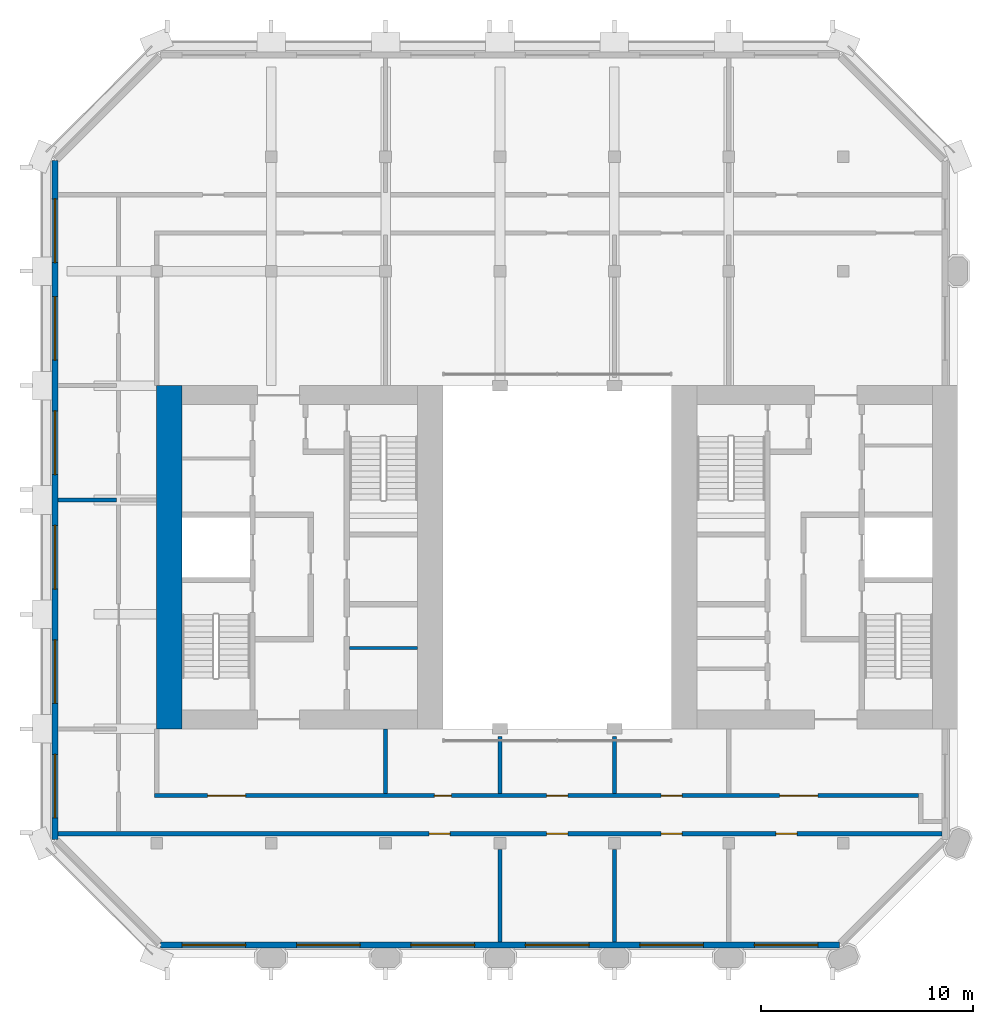
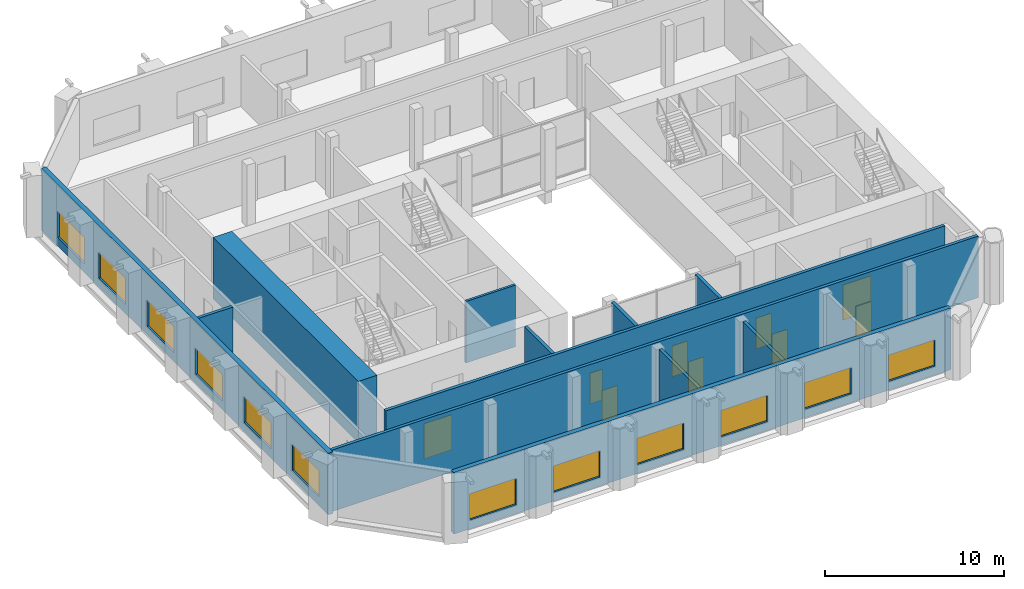
# One storey, part 6 of 12: 12 walls, 12 windows, 9 doors, 21 openings.
"""IFC4 building model written with IfcOpenShell, lengths in metres."""

import ifcopenshell
import ifcopenshell.guid

model = None  # the IFC model being written
_history = None  # IfcOwnerHistory: only IFC2X3 demands one
_inside = {}  # id of a spatial element -> (the spatial element, [elements in it])
_under = {}  # id of a project, library or spatial element -> (it, [spatial elements below it])
_declared = {}  # id of a project -> (the project, [libraries it declares])
_typed = {}  # id of a type object -> (the type object, [elements of that type])
_made_of = {}  # id of a material, layer set ... -> (it, [elements and type objects made of it])


def new_model(schema):
    """Start an empty IFC model of exactly this schema.

    Asked for "IFC4X3", IfcOpenShell would pick the latest addendum, in which some entities
    have other attributes; the version numbers below select the first issue.
    IFC2X3 requires an IfcOwnerHistory on every rooted entity: one is made here for all.
    """
    global model, _history
    if schema == "IFC4X3":
        model = ifcopenshell.file(schema_version=(4, 3, 0, 0))
    else:
        model = ifcopenshell.file(schema=schema)
    _inside.clear()
    _under.clear()
    _declared.clear()
    _typed.clear()
    _made_of.clear()
    _history = None
    if model.schema == "IFC2X3":
        org = make("IfcOrganization", Name="unknown")
        user = make(
            "IfcPersonAndOrganization",
            ThePerson=make("IfcPerson", FamilyName="unknown"),
            TheOrganization=org,
        )
        app = make(
            "IfcApplication",
            ApplicationDeveloper=org,
            Version="unknown",
            ApplicationFullName="unknown",
            ApplicationIdentifier="unknown",
        )
        _history = make(
            "IfcOwnerHistory",
            OwningUser=user,
            OwningApplication=app,
            ChangeAction="ADDED",
            CreationDate=0,
        )
    return model


def make(cls, **values):
    """One entity of the class cls with the attributes given. An attribute that is None is left unset."""
    return model.create_entity(
        cls, **{name: value for name, value in values.items() if value is not None}
    )


def rooted(cls, **values):
    """An entity with a GlobalId (a new one), such as an element, a storey or a relation."""
    return make(cls, GlobalId=ifcopenshell.guid.new(), OwnerHistory=_history, **values)


def si_unit(unit_type, name, prefix=None):
    """IfcSIUnit, for example si_unit("LENGTHUNIT", "METRE", prefix="MILLI")."""
    return make("IfcSIUnit", UnitType=unit_type, Prefix=prefix, Name=name)


def assignment(units):
    """IfcUnitAssignment: the units of a project."""
    return None if units is None else make("IfcUnitAssignment", Units=units)


def point(xyz):
    """IfcCartesianPoint."""
    return None if xyz is None else make("IfcCartesianPoint", Coordinates=xyz)


def direction(xyz):
    """IfcDirection."""
    return None if xyz is None else make("IfcDirection", DirectionRatios=xyz)


def frame(location, z_axis=None, x_axis=None):
    """IfcAxis2Placement3D, a coordinate frame: its origin and axes. An axis left out is left unset."""
    return make(
        "IfcAxis2Placement3D",
        Location=point(location),
        Axis=direction(z_axis),
        RefDirection=direction(x_axis),
    )


def frame_2d(location, x_axis=None):
    """IfcAxis2Placement2D, a coordinate frame in the plane: its origin and x axis."""
    return make(
        "IfcAxis2Placement2D", Location=point(location), RefDirection=direction(x_axis)
    )


def origin():
    """The frame at (0, 0, 0) with its axes left unset."""
    return frame((0.0, 0.0, 0.0))


def place(relative_to, where):
    """IfcLocalPlacement: puts the frame where relative to a parent placement (None: the world)."""
    return make(
        "IfcLocalPlacement", PlacementRelTo=relative_to, RelativePlacement=where
    )


def context(
    kind, dimensions, precision=None, world=None, true_north=None, identifier=None
):
    """IfcGeometricRepresentationContext, for example the 3D "Model" context."""
    return make(
        "IfcGeometricRepresentationContext",
        ContextIdentifier=identifier,
        ContextType=kind,
        CoordinateSpaceDimension=dimensions,
        Precision=precision,
        WorldCoordinateSystem=world,
        TrueNorth=true_north,
    )


def subcontext(parent, identifier, kind, view, scale=None):
    """IfcGeometricRepresentationSubContext, for example "Body" below "Model"."""
    return make(
        "IfcGeometricRepresentationSubContext",
        ContextIdentifier=identifier,
        ContextType=kind,
        ParentContext=parent,
        TargetScale=scale,
        TargetView=view,
    )


def project(units=None, contexts=None):
    """IfcProject with its units and contexts."""
    return rooted(
        "IfcProject",
        Name="project",
        RepresentationContexts=contexts,
        UnitsInContext=assignment(units),
    )


def spatial(cls, under=None, at=None, **own):
    """A site, building, storey or space (cls), placed at a placement, below another one or the project."""
    s = rooted(cls, ObjectPlacement=at, **own)
    if under is not None:
        _under.setdefault(under.id(), (under, []))[1].append(s)
    return s


def polyline(points):
    """IfcPolyline through the points."""
    return make("IfcPolyline", Points=[point(p) for p in points])


def profile(cls, at=None, kind="AREA", **sizes):
    """A parametric profile (cls). Its sizes go by their IFC names, for example OverallWidth=200.0."""
    return make(cls, ProfileType=kind, Position=at, **sizes)


def rectangle(**sizes):
    """IfcRectangleProfileDef."""
    return profile("IfcRectangleProfileDef", **sizes)


def outline(outer, holes=None, kind="AREA"):
    """IfcArbitraryClosedProfileDef: a profile drawn as a closed curve; with holes, ...WithVoids."""
    if holes is None:
        return make("IfcArbitraryClosedProfileDef", ProfileType=kind, OuterCurve=outer)
    return make(
        "IfcArbitraryProfileDefWithVoids",
        ProfileType=kind,
        OuterCurve=outer,
        InnerCurves=holes,
    )


def extrude(swept, where, along, depth):
    """IfcExtrudedAreaSolid: the profile swept, set in the frame where, extruded along a direction by depth."""
    return make(
        "IfcExtrudedAreaSolid",
        SweptArea=swept,
        Position=where,
        ExtrudedDirection=direction(along),
        Depth=depth,
    )


def shape(context_of_items, identifier, shape_type, items):
    """IfcShapeRepresentation: the items that make up one representation, for example the "Body"."""
    return make(
        "IfcShapeRepresentation",
        ContextOfItems=context_of_items,
        RepresentationIdentifier=identifier,
        RepresentationType=shape_type,
        Items=items,
    )


def material(Name=None, Category=None):
    """IfcMaterial."""
    return make("IfcMaterial", Name=Name, Category=Category)


def layer(
    of_material, thickness, ventilated=None, Name=None, Category=None, Priority=None
):
    """IfcMaterialLayer: one layer of a wall or slab, of a material (None: an air gap)."""
    return make(
        "IfcMaterialLayer",
        Material=of_material,
        LayerThickness=thickness,
        IsVentilated=ventilated,
        Name=Name,
        Category=Category,
        Priority=Priority,
    )


def layer_set(layers, Name=None):
    """IfcMaterialLayerSet."""
    return make("IfcMaterialLayerSet", MaterialLayers=layers, LayerSetName=Name)


def made_of(thing, what):
    """Note that an element or type object is made of a material, layer set ...; save() writes the relation."""
    if what is not None:
        _made_of.setdefault(what.id(), (what, []))[1].append(thing)
    return thing


def type_object(cls, material=None, **own):
    """A type object (cls), such as IfcWallType, which elements share."""
    return made_of(rooted(cls, **own), material)


def element(
    cls,
    number,
    at=None,
    inside=None,
    cuts=None,
    type_object=None,
    material=None,
    context=None,
    identifier="Body",
    shape_type=None,
    held_by="IfcProductDefinitionShape",
    body=None,
    shapes=None,
    **own,
):
    """One element of the class cls, such as IfcWall. Its Tag is "e" and its number.

    at: its placement. inside: the storey or other place that contains it. cuts: it is an
    opening in that element (IfcRelVoidsElement). A single representation is given by context,
    identifier, shape_type and body (its items); several are given by shapes. held_by: the class
    of the entity that holds the representations. save() writes the other relations.
    """
    e = rooted(cls, Tag="e%d" % number, ObjectPlacement=at, **own)
    if body is not None:
        shapes = [shape(context, identifier, shape_type, body)]
    if shapes is not None:
        e.Representation = make(held_by, Representations=shapes)
    if inside is not None:
        _inside.setdefault(inside.id(), (inside, []))[1].append(e)
    if cuts is not None:
        rooted(
            "IfcRelVoidsElement", RelatingBuildingElement=cuts, RelatedOpeningElement=e
        )
    if type_object is not None:
        _typed.setdefault(type_object.id(), (type_object, []))[1].append(e)
    return made_of(e, material)


def fill(opening, filler):
    """IfcRelFillsElement: the door or window that sits in an opening."""
    return rooted(
        "IfcRelFillsElement",
        RelatingOpeningElement=opening,
        RelatedBuildingElement=filler,
    )


def aggregate(whole, parts):
    """IfcRelAggregates: a whole, such as a stair, and the parts it consists of."""
    return rooted("IfcRelAggregates", RelatingObject=whole, RelatedObjects=parts)


def save(model, path):
    """Write the relations noted so far, then the file.

    IfcRelAggregates (storeys below a building ...), IfcRelContainedInSpatialStructure (elements
    in a storey), IfcRelDefinesByType, IfcRelAssociatesMaterial and IfcRelDeclares: one each for
    every whole, place, type object, material and project.
    """
    for whole, parts in _under.values():
        aggregate(whole, parts)
    for where, things in _inside.values():
        rooted(
            "IfcRelContainedInSpatialStructure",
            RelatedElements=things,
            RelatingStructure=where,
        )
    for kind, things in _typed.values():
        rooted("IfcRelDefinesByType", RelatedObjects=things, RelatingType=kind)
    for what, things in _made_of.values():
        rooted("IfcRelAssociatesMaterial", RelatedObjects=things, RelatingMaterial=what)
    for by, libraries in _declared.values():
        rooted("IfcRelDeclares", RelatingContext=by, RelatedDefinitions=libraries)
    model.write(path)


model = new_model("IFC4")

# Units and contexts
model_context = context("Model", 3, precision=1e-05, world=origin(), true_north=direction((0.0, 1.0)))
body_context = subcontext(model_context, "Body", "Model", "MODEL_VIEW")
ifc_project = project(units=[si_unit("LENGTHUNIT", "METRE"), si_unit("AREAUNIT", "SQUARE_METRE"), si_unit("VOLUMEUNIT", "CUBIC_METRE"), si_unit("PLANEANGLEUNIT", "RADIAN"), si_unit("MASSUNIT", "GRAM", prefix="KILO")], contexts=[model_context])

# Site, building, storey
site_placement = place(None, origin())
site = spatial("IfcSite", under=ifc_project, at=site_placement, CompositionType="ELEMENT")
building_placement = place(site_placement, origin())
building = spatial("IfcBuilding", under=site, at=building_placement, Name="Tabaq Tower and Sports Hall", CompositionType="ELEMENT")
storey_placement = place(building_placement, frame((0.0, 0.0, 317.199951171875)))
storey = spatial("IfcBuildingStorey", under=building, at=storey_placement, Name="L79", CompositionType="ELEMENT", Elevation=317.199951171875)

# Walls
ifc_material_1 = material(Name="Blockwork", Category="masonry")
ifc_layer_1 = layer(ifc_material_1, 0.14990234375)
ifc_layer_set_1 = layer_set([ifc_layer_1], Name="Core room partition 150 Blockwork")
wall_type_1 = type_object("IfcWallType", Name="Core room partition 150 Blockwork", PredefinedType="PARTITIONING", material=ifc_layer_set_1)
wall_1_placement = place(storey_placement, frame((14.5, 20.010009765625, 0.0), z_axis=(0.0, 0.0, 1.0), x_axis=(1.0, 0.0, 0.0)))
element("IfcWall", 1, at=wall_1_placement, inside=storey, type_object=wall_type_1, Name="Core room partition W L79", PredefinedType="PARTITIONING", context=body_context, shape_type="SweptSolid", body=[
    extrude(rectangle(XDim=3.199951171875, YDim=0.14990234375, at=frame_2d((1.60009765625, 0.0))), origin(), (0.0, 0.0, 1.0), 4.199951171875),
])
ifc_material_2 = material(Name="Concrete C40/50", Category="concrete")
ifc_layer_2 = layer(ifc_material_2, 1.199951171875)
ifc_layer_set_2 = layer_set([ifc_layer_2], Name="Core wall 1200 Concrete C40/50")
wall_type_2 = type_object("IfcWallType", Name="Core wall 1200 Concrete C40/50", PredefinedType="SOLIDWALL", material=ifc_layer_set_2)
wall_2_placement = place(storey_placement, frame((6.0, 16.199951171875, 0.0), z_axis=(0.0, 0.0, 1.0), x_axis=(0.0, 1.0, 0.0)))
element("IfcWall", 2, at=wall_2_placement, inside=storey, type_object=wall_type_2, Name="Core wall W L79", PredefinedType="SOLIDWALL", context=body_context, shape_type="SweptSolid", body=[
    extrude(rectangle(XDim=16.199951171875, YDim=1.199951171875, at=frame_2d((8.10009765625, 0.0))), origin(), (0.0, 0.0, 1.0), 4.199951171875),
])
ifc_material_3 = material(Name="Blockwork", Category="masonry")
ifc_layer_3 = layer(ifc_material_3, 0.199951171875)
ifc_layer_set_3 = layer_set([ifc_layer_3], Name="Fire compartment wall 200 Blockwork")
wall_type_3 = type_object("IfcWallType", Name="Fire compartment wall 200 Blockwork", PredefinedType="PARTITIONING", material=ifc_layer_set_3)
wall_3_placement = place(storey_placement, frame((0.7509765625, 27.0, 0.0), z_axis=(0.0, 0.0, 1.0), x_axis=(1.0, 0.0, 0.0)))
element("IfcWall", 3, at=wall_3_placement, inside=storey, type_object=wall_type_3, Name="Compartment wall L79", PredefinedType="PARTITIONING", context=body_context, shape_type="SweptSolid", body=[
    extrude(rectangle(XDim=2.7490234375, YDim=0.199951171875, at=frame_2d((1.37451171875, 0.0))), origin(), (0.0, 0.0, 1.0), 3.449951171875),
])
for number, where, z_axis, x_axis, name in (
    (4, (27.0, 10.5048828125, 0.0), (0.0, 0.0, 1.0), (0.0, -1.0, 0.0), "Compartment wall L79"),
    (5, (21.60009765625, 10.5048828125, 0.0), (0.0, 0.0, 1.0), (0.0, -1.0, 0.0), "Compartment wall L79"),
):
    element("IfcWall", number, at=place(storey_placement, frame(where, z_axis=z_axis, x_axis=x_axis)), inside=storey, type_object=wall_type_3, Name=name, PredefinedType="PARTITIONING", context=body_context, shape_type="SweptSolid", body=[
        extrude(rectangle(XDim=4.35400390625, YDim=0.199951171875, at=frame_2d((2.177001953125, 0.0))), origin(), (0.0, 0.0, 1.0), 4.199951171875),
    ])

# Wall, openings, doors
wall_4_placement = place(storey_placement, frame((0.7509765625, 11.25, 0.0), z_axis=(0.0, 0.0, 1.0), x_axis=(1.0, 0.0, 0.0)))
wall_4 = element("IfcWall", 6, at=wall_4_placement, inside=storey, type_object=wall_type_3, Name="Compartment wall L79", PredefinedType="PARTITIONING", context=body_context, shape_type="SweptSolid", body=[
    extrude(rectangle(XDim=41.697998046875, YDim=0.199951171875, at=frame_2d((20.84912109375, 0.0))), origin(), (0.0, 0.0, 1.0), 4.199951171875),
])
opening_1_placement = place(wall_4_placement, frame((33.865966796875, 0.0, 0.0)))
opening_1 = element("IfcOpeningElement", 7, at=opening_1_placement, cuts=wall_4, Name="Opening L79-009", PredefinedType="OPENING", context=body_context, shape_type="SweptSolid", body=[
    extrude(rectangle(XDim=1.0, YDim=2.10009765625, at=frame_2d((0.5, 1.050048828125))), frame((0.0, 0.10009765625, 0.0), z_axis=(0.0, -1.0, 0.0), x_axis=(1.0, 0.0, 0.0)), (0.0, 0.0, 1.0), 0.199951171875),
])
opening_2_placement = place(wall_4_placement, frame((28.448974609375, 0.0, 0.0)))
opening_2 = element("IfcOpeningElement", 8, at=opening_2_placement, cuts=wall_4, Name="Opening L79-010", PredefinedType="OPENING", context=body_context, shape_type="SweptSolid", body=[
    extrude(rectangle(XDim=1.0, YDim=2.10009765625, at=frame_2d((0.5, 1.050048828125))), frame((0.0, 0.10009765625, 0.0), z_axis=(0.0, -1.0, 0.0), x_axis=(1.0, 0.0, 0.0)), (0.0, 0.0, 1.0), 0.199951171875),
])
opening_3_placement = place(wall_4_placement, frame((23.049072265625, 0.0, 0.0)))
opening_3 = element("IfcOpeningElement", 9, at=opening_3_placement, cuts=wall_4, Name="Opening L79-011", PredefinedType="OPENING", context=body_context, shape_type="SweptSolid", body=[
    extrude(rectangle(XDim=1.0, YDim=2.10009765625, at=frame_2d((0.5, 1.050048828125))), frame((0.0, 0.10009765625, 0.0), z_axis=(0.0, -1.0, 0.0), x_axis=(1.0, 0.0, 0.0)), (0.0, 0.0, 1.0), 0.199951171875),
])
opening_4_placement = place(wall_4_placement, frame((17.4990234375, 0.0, 0.0)))
opening_4 = element("IfcOpeningElement", 10, at=opening_4_placement, cuts=wall_4, Name="Opening L79-012", PredefinedType="OPENING", context=body_context, shape_type="SweptSolid", body=[
    extrude(rectangle(XDim=1.0, YDim=2.10009765625, at=frame_2d((0.5, 1.050048828125))), frame((0.0, 0.10009765625, 0.0), z_axis=(0.0, -1.0, 0.0), x_axis=(1.0, 0.0, 0.0)), (0.0, 0.0, 1.0), 0.199951171875),
])
ifc_material_4 = material(Name="Steel fire door", Category="steel")
door_type_1 = type_object("IfcDoorType", Name="Plant room door 1000 left hand", OperationType="SINGLE_SWING_LEFT", PredefinedType="DOOR", material=ifc_material_4)
door_1_placement = place(opening_2_placement, origin())
door_1 = element("IfcDoor", 11, at=door_1_placement, inside=storey, type_object=door_type_1, Name="Plant room door L79-010", OperationType="SINGLE_SWING_LEFT", OverallHeight=2.10009765625, OverallWidth=1.0, PredefinedType="DOOR", context=body_context, shape_type="SweptSolid", body=[
    extrude(rectangle(XDim=1.0, YDim=2.10009765625, at=frame_2d((0.5, 1.050048828125))), frame((0.0, 0.02490234375, 0.0), z_axis=(0.0, -1.0, 0.0), x_axis=(1.0, 0.0, 0.0)), (0.0, 0.0, 1.0), 0.050048828125),
])
fill(opening_2, door_1)
door_2_placement = place(opening_3_placement, origin())
door_2 = element("IfcDoor", 12, at=door_2_placement, inside=storey, type_object=door_type_1, Name="Plant room door L79-011", OperationType="SINGLE_SWING_LEFT", OverallHeight=2.10009765625, OverallWidth=1.0, PredefinedType="DOOR", context=body_context, shape_type="SweptSolid", body=[
    extrude(rectangle(XDim=1.0, YDim=2.10009765625, at=frame_2d((0.5, 1.050048828125))), frame((0.0, 0.02490234375, 0.0), z_axis=(0.0, -1.0, 0.0), x_axis=(1.0, 0.0, 0.0)), (0.0, 0.0, 1.0), 0.050048828125),
])
fill(opening_3, door_2)
ifc_material_5 = material(Name="Steel fire door", Category="steel")
door_type_2 = type_object("IfcDoorType", Name="Plant room door 1000 right hand", OperationType="SINGLE_SWING_RIGHT", PredefinedType="DOOR", material=ifc_material_5)
door_3_placement = place(opening_1_placement, origin())
door_3 = element("IfcDoor", 13, at=door_3_placement, inside=storey, type_object=door_type_2, Name="Plant room door L79-009", OperationType="SINGLE_SWING_RIGHT", OverallHeight=2.10009765625, OverallWidth=1.0, PredefinedType="DOOR", context=body_context, shape_type="SweptSolid", body=[
    extrude(rectangle(XDim=1.0, YDim=2.10009765625, at=frame_2d((0.5, 1.050048828125))), frame((0.0, 0.02490234375, 0.0), z_axis=(0.0, -1.0, 0.0), x_axis=(1.0, 0.0, 0.0)), (0.0, 0.0, 1.0), 0.050048828125),
])
fill(opening_1, door_3)
door_4_placement = place(opening_4_placement, origin())
door_4 = element("IfcDoor", 14, at=door_4_placement, inside=storey, type_object=door_type_2, Name="Plant room door L79-012", OperationType="SINGLE_SWING_RIGHT", OverallHeight=2.10009765625, OverallWidth=1.0, PredefinedType="DOOR", context=body_context, shape_type="SweptSolid", body=[
    extrude(rectangle(XDim=1.0, YDim=2.10009765625, at=frame_2d((0.5, 1.050048828125))), frame((0.0, 0.02490234375, 0.0), z_axis=(0.0, -1.0, 0.0), x_axis=(1.0, 0.0, 0.0)), (0.0, 0.0, 1.0), 0.050048828125),
])
fill(opening_4, door_4)

# Walls
for number, where, z_axis, x_axis, name in (
    (15, (27.0, 15.830078125, 0.0), (0.0, 0.0, 1.0), (0.0, -1.0, 0.0), "Compartment wall L79"),
    (16, (21.60009765625, 15.830078125, 0.0), (0.0, 0.0, 1.0), (0.0, -1.0, 0.0), "Compartment wall L79"),
):
    element("IfcWall", number, at=place(storey_placement, frame(where, z_axis=z_axis, x_axis=x_axis)), inside=storey, type_object=wall_type_3, Name=name, PredefinedType="PARTITIONING", context=body_context, shape_type="SweptSolid", body=[
        extrude(rectangle(XDim=2.68017578125, YDim=0.199951171875, at=frame_2d((1.340087890625, 0.0))), origin(), (0.0, 0.0, 1.0), 4.199951171875),
    ])
wall_5_placement = place(storey_placement, frame((16.199951171875, 16.199951171875, 0.0), z_axis=(0.0, 0.0, 1.0), x_axis=(0.0, -1.0, 0.0)))
element("IfcWall", 17, at=wall_5_placement, inside=storey, type_object=wall_type_3, Name="Compartment wall L79", PredefinedType="PARTITIONING", context=body_context, shape_type="SweptSolid", body=[
    extrude(rectangle(XDim=3.050048828125, YDim=0.199951171875, at=frame_2d((1.52490234375, 0.0))), origin(), (0.0, 0.0, 1.0), 4.199951171875),
])

# Wall, openings, doors
wall_6_placement = place(storey_placement, frame((5.300048828125, 13.050048828125, 0.0), z_axis=(0.0, 0.0, 1.0), x_axis=(1.0, 0.0, 0.0)))
wall_6 = element("IfcWall", 18, at=wall_6_placement, inside=storey, type_object=wall_type_3, Name="Compartment wall L79", PredefinedType="PARTITIONING", context=body_context, shape_type="SweptSolid", body=[
    extrude(rectangle(XDim=36.049072265625, YDim=0.199951171875, at=frame_2d((18.0244140625, 0.0))), origin(), (0.0, 0.0, 1.0), 4.199951171875),
])
opening_5_placement = place(wall_6_placement, frame((23.89990234375, 0.0, 0.0)))
opening_5 = element("IfcOpeningElement", 19, at=opening_5_placement, cuts=wall_6, Name="Opening L79-013", PredefinedType="OPENING", context=body_context, shape_type="SweptSolid", body=[
    extrude(rectangle(XDim=1.0, YDim=2.10009765625, at=frame_2d((0.5, 1.050048828125))), frame((0.0, 0.10009765625, 0.0), z_axis=(0.0, -1.0, 0.0), x_axis=(1.0, 0.0, 0.0)), (0.0, 0.0, 1.0), 0.199951171875),
])
opening_6_placement = place(wall_6_placement, frame((18.5, 0.0, 0.0)))
opening_6 = element("IfcOpeningElement", 20, at=opening_6_placement, cuts=wall_6, Name="Opening L79-014", PredefinedType="OPENING", context=body_context, shape_type="SweptSolid", body=[
    extrude(rectangle(XDim=1.0, YDim=2.10009765625, at=frame_2d((0.5, 1.050048828125))), frame((0.0, 0.10009765625, 0.0), z_axis=(0.0, -1.0, 0.0), x_axis=(1.0, 0.0, 0.0)), (0.0, 0.0, 1.0), 0.199951171875),
])
opening_7_placement = place(wall_6_placement, frame((13.199951171875, 0.0, 0.0)))
opening_7 = element("IfcOpeningElement", 21, at=opening_7_placement, cuts=wall_6, Name="Opening L79-015", PredefinedType="OPENING", context=body_context, shape_type="SweptSolid", body=[
    extrude(rectangle(XDim=0.800048828125, YDim=2.10009765625, at=frame_2d((0.39990234375, 1.050048828125))), frame((0.0, 0.10009765625, 0.0), z_axis=(0.0, -1.0, 0.0), x_axis=(1.0, 0.0, 0.0)), (0.0, 0.0, 1.0), 0.199951171875),
])
opening_8_placement = place(wall_6_placement, frame((29.5, 0.0, 0.0)))
opening_8 = element("IfcOpeningElement", 22, at=opening_8_placement, cuts=wall_6, Name="Opening L79-019", PredefinedType="OPENING", context=body_context, shape_type="SweptSolid", body=[
    extrude(rectangle(XDim=1.800048828125, YDim=2.39990234375, at=frame_2d((0.89990234375, 1.199951171875))), frame((0.0, 0.10009765625, 0.0), z_axis=(0.0, -1.0, 0.0), x_axis=(1.0, 0.0, 0.0)), (0.0, 0.0, 1.0), 0.199951171875),
])
opening_9_placement = place(wall_6_placement, frame((2.5, 0.0, 0.0)))
opening_9 = element("IfcOpeningElement", 23, at=opening_9_placement, cuts=wall_6, Name="Opening L79-020", PredefinedType="OPENING", context=body_context, shape_type="SweptSolid", body=[
    extrude(rectangle(XDim=1.800048828125, YDim=2.39990234375, at=frame_2d((0.89990234375, 1.199951171875))), frame((0.0, 0.10009765625, 0.0), z_axis=(0.0, -1.0, 0.0), x_axis=(1.0, 0.0, 0.0)), (0.0, 0.0, 1.0), 0.199951171875),
])
door_5_placement = place(opening_5_placement, origin())
door_5 = element("IfcDoor", 24, at=door_5_placement, inside=storey, type_object=door_type_2, Name="Plant room door L79-013", OperationType="SINGLE_SWING_RIGHT", OverallHeight=2.10009765625, OverallWidth=1.0, PredefinedType="DOOR", context=body_context, shape_type="SweptSolid", body=[
    extrude(rectangle(XDim=1.0, YDim=2.10009765625, at=frame_2d((0.5, 1.050048828125))), frame((0.0, 0.02490234375, 0.0), z_axis=(0.0, -1.0, 0.0), x_axis=(1.0, 0.0, 0.0)), (0.0, 0.0, 1.0), 0.050048828125),
])
fill(opening_5, door_5)
ifc_material_6 = material(Name="Steel fire door", Category="steel")
door_type_3 = type_object("IfcDoorType", Name="Plant room door 1800", OperationType="DOUBLE_DOOR_SINGLE_SWING", PredefinedType="DOOR", material=ifc_material_6)
door_6_placement = place(opening_8_placement, origin())
door_6 = element("IfcDoor", 25, at=door_6_placement, inside=storey, type_object=door_type_3, Name="Plant room door L79-019", OperationType="DOUBLE_DOOR_SINGLE_SWING", OverallHeight=2.39990234375, OverallWidth=1.800048828125, PredefinedType="DOOR", context=body_context, shape_type="SweptSolid", body=[
    extrude(rectangle(XDim=1.800048828125, YDim=2.39990234375, at=frame_2d((0.89990234375, 1.199951171875))), frame((0.0, 0.02490234375, 0.0), z_axis=(0.0, -1.0, 0.0), x_axis=(1.0, 0.0, 0.0)), (0.0, 0.0, 1.0), 0.050048828125),
])
fill(opening_8, door_6)
door_7_placement = place(opening_9_placement, origin())
door_7 = element("IfcDoor", 26, at=door_7_placement, inside=storey, type_object=door_type_3, Name="Plant room door L79-020", OperationType="DOUBLE_DOOR_SINGLE_SWING", OverallHeight=2.39990234375, OverallWidth=1.800048828125, PredefinedType="DOOR", context=body_context, shape_type="SweptSolid", body=[
    extrude(rectangle(XDim=1.800048828125, YDim=2.39990234375, at=frame_2d((0.89990234375, 1.199951171875))), frame((0.0, 0.02490234375, 0.0), z_axis=(0.0, -1.0, 0.0), x_axis=(1.0, 0.0, 0.0)), (0.0, 0.0, 1.0), 0.050048828125),
])
fill(opening_9, door_7)
ifc_material_7 = material(Name="Steel fire door", Category="steel")
door_type_4 = type_object("IfcDoorType", Name="Plant room door 800 left hand", OperationType="SINGLE_SWING_LEFT", PredefinedType="DOOR", material=ifc_material_7)
door_8_placement = place(opening_7_placement, origin())
door_8 = element("IfcDoor", 27, at=door_8_placement, inside=storey, type_object=door_type_4, Name="Plant room door L79-015", OperationType="SINGLE_SWING_LEFT", OverallHeight=2.10009765625, OverallWidth=0.800048828125, PredefinedType="DOOR", context=body_context, shape_type="SweptSolid", body=[
    extrude(rectangle(XDim=0.800048828125, YDim=2.10009765625, at=frame_2d((0.39990234375, 1.050048828125))), frame((0.0, 0.02490234375, 0.0), z_axis=(0.0, -1.0, 0.0), x_axis=(1.0, 0.0, 0.0)), (0.0, 0.0, 1.0), 0.050048828125),
])
fill(opening_7, door_8)
ifc_material_8 = material(Name="Steel fire door", Category="steel")
door_type_5 = type_object("IfcDoorType", Name="Riser door 1000 left hand", OperationType="SINGLE_SWING_LEFT", PredefinedType="DOOR", material=ifc_material_8)
door_9_placement = place(opening_6_placement, origin())
door_9 = element("IfcDoor", 28, at=door_9_placement, inside=storey, type_object=door_type_5, Name="Riser door L79-014", OperationType="SINGLE_SWING_LEFT", OverallHeight=2.10009765625, OverallWidth=1.0, PredefinedType="DOOR", context=body_context, shape_type="SweptSolid", body=[
    extrude(rectangle(XDim=1.0, YDim=2.10009765625, at=frame_2d((0.5, 1.050048828125))), frame((0.0, 0.02490234375, 0.0), z_axis=(0.0, -1.0, 0.0), x_axis=(1.0, 0.0, 0.0)), (0.0, 0.0, 1.0), 0.050048828125),
])
fill(opening_6, door_9)

# Wall, openings, windows
ifc_material_9 = material(Name="White precast concrete C60/75", Category="concrete")
ifc_layer_4 = layer(ifc_material_9, 0.300048828125)
ifc_layer_set_4 = layer_set([ifc_layer_4], Name="White precast concrete C60/75 external wall 300")
wall_type_4 = type_object("IfcWallType", Name="White precast concrete C60/75 external wall 300", PredefinedType="SOLIDWALL", material=ifc_layer_set_4)
wall_7_placement = place(storey_placement, frame((5.58642578125, 6.0, 0.0), z_axis=(0.0, 0.0, 1.0), x_axis=(1.0, 0.0, 0.0)))
wall_7 = element("IfcWall", 29, at=wall_7_placement, inside=storey, type_object=wall_type_4, Name="External Wall L79 S", PredefinedType="SOLIDWALL", context=body_context, shape_type="SweptSolid", body=[
    extrude(outline(polyline([(0.0, 0.0), (32.027099609375, 0.0), (32.027099609375, 4.199951171875), (31.43408203125, 4.199951171875), (30.841064453125, 4.199951171875), (30.247802734375, 4.199951171875), (29.65478515625, 4.199951171875), (29.061767578125, 4.199951171875), (28.46875, 4.199951171875), (27.87548828125, 4.199951171875), (27.282470703125, 4.199951171875), (26.689453125, 4.199951171875), (26.09619140625, 4.199951171875), (25.503173828125, 4.199951171875), (24.91015625, 4.199951171875), (24.31689453125, 4.199951171875), (23.723876953125, 4.199951171875), (23.130859375, 4.199951171875), (22.53759765625, 4.199951171875), (21.944580078125, 4.199951171875), (21.3515625, 4.199951171875), (20.75830078125, 4.199951171875), (20.165283203125, 4.199951171875), (19.572265625, 4.199951171875), (18.97900390625, 4.199951171875), (18.385986328125, 4.199951171875), (17.79296875, 4.199951171875), (17.19970703125, 4.199951171875), (16.606689453125, 4.199951171875), (16.013671875, 4.199951171875), (15.42041015625, 4.199951171875), (14.827392578125, 4.199951171875), (14.234375, 4.199951171875), (13.64111328125, 4.199951171875), (13.048095703125, 4.199951171875), (12.455078125, 4.199951171875), (11.86181640625, 4.199951171875), (11.268798828125, 4.199951171875), (10.67578125, 4.199951171875), (10.08251953125, 4.199951171875), (9.489501953125, 4.199951171875), (8.896484375, 4.199951171875), (8.303466796875, 4.199951171875), (7.710205078125, 4.199951171875), (7.1171875, 4.199951171875), (6.524169921875, 4.199951171875), (5.930908203125, 4.199951171875), (5.337890625, 4.199951171875), (4.744873046875, 4.199951171875), (4.151611328125, 4.199951171875), (3.55859375, 4.199951171875), (2.965576171875, 4.199951171875), (2.372314453125, 4.199951171875), (1.779296875, 4.199951171875), (1.186279296875, 4.199951171875), (0.593017578125, 4.199951171875), (0.0, 4.199951171875), (0.0, 0.0)])), frame((0.0, 0.14990234375, 0.0), z_axis=(0.0, -1.0, 0.0), x_axis=(1.0, 0.0, 0.0)), (0.0, 0.0, 1.0), 0.300048828125),
])
opening_10_placement = place(wall_7_placement, frame((1.013671875, 0.0, 0.60009765625)))
opening_10 = element("IfcOpeningElement", 30, at=opening_10_placement, cuts=wall_7, Name="Opening LV1", PredefinedType="OPENING", context=body_context, shape_type="SweptSolid", body=[
    extrude(rectangle(XDim=3.0, YDim=1.800048828125, at=frame_2d((1.5, 0.89990234375))), frame((0.0, 0.16015625, 0.0), z_axis=(0.0, -1.0, 0.0), x_axis=(1.0, 0.0, 0.0)), (0.0, 0.0, 1.0), 0.320068359375),
])
opening_11_placement = place(wall_7_placement, frame((6.41357421875, 0.0, 0.60009765625)))
opening_11 = element("IfcOpeningElement", 31, at=opening_11_placement, cuts=wall_7, Name="Opening LV1", PredefinedType="OPENING", context=body_context, shape_type="SweptSolid", body=[
    extrude(rectangle(XDim=3.0, YDim=1.800048828125, at=frame_2d((1.5, 0.89990234375))), frame((0.0, 0.16015625, 0.0), z_axis=(0.0, -1.0, 0.0), x_axis=(1.0, 0.0, 0.0)), (0.0, 0.0, 1.0), 0.320068359375),
])
opening_12_placement = place(wall_7_placement, frame((11.813720703125, 0.0, 0.60009765625)))
opening_12 = element("IfcOpeningElement", 32, at=opening_12_placement, cuts=wall_7, Name="Opening LV1", PredefinedType="OPENING", context=body_context, shape_type="SweptSolid", body=[
    extrude(rectangle(XDim=3.0, YDim=1.800048828125, at=frame_2d((1.5, 0.89990234375))), frame((0.0, 0.16015625, 0.0), z_axis=(0.0, -1.0, 0.0), x_axis=(1.0, 0.0, 0.0)), (0.0, 0.0, 1.0), 0.320068359375),
])
opening_13_placement = place(wall_7_placement, frame((17.213623046875, 0.0, 0.60009765625)))
opening_13 = element("IfcOpeningElement", 33, at=opening_13_placement, cuts=wall_7, Name="Opening LV1", PredefinedType="OPENING", context=body_context, shape_type="SweptSolid", body=[
    extrude(rectangle(XDim=3.0, YDim=1.800048828125, at=frame_2d((1.5, 0.89990234375))), frame((0.0, 0.16015625, 0.0), z_axis=(0.0, -1.0, 0.0), x_axis=(1.0, 0.0, 0.0)), (0.0, 0.0, 1.0), 0.320068359375),
])
opening_14_placement = place(wall_7_placement, frame((22.613525390625, 0.0, 0.60009765625)))
opening_14 = element("IfcOpeningElement", 34, at=opening_14_placement, cuts=wall_7, Name="Opening LV1", PredefinedType="OPENING", context=body_context, shape_type="SweptSolid", body=[
    extrude(rectangle(XDim=3.0, YDim=1.800048828125, at=frame_2d((1.5, 0.89990234375))), frame((0.0, 0.16015625, 0.0), z_axis=(0.0, -1.0, 0.0), x_axis=(1.0, 0.0, 0.0)), (0.0, 0.0, 1.0), 0.320068359375),
])
opening_15_placement = place(wall_7_placement, frame((28.013671875, 0.0, 0.60009765625)))
opening_15 = element("IfcOpeningElement", 35, at=opening_15_placement, cuts=wall_7, Name="Opening LV1", PredefinedType="OPENING", context=body_context, shape_type="SweptSolid", body=[
    extrude(rectangle(XDim=3.0, YDim=1.800048828125, at=frame_2d((1.5, 0.89990234375))), frame((0.0, 0.16015625, 0.0), z_axis=(0.0, -1.0, 0.0), x_axis=(1.0, 0.0, 0.0)), (0.0, 0.0, 1.0), 0.320068359375),
])
ifc_material_10 = material(Name="Aluminium alloy 6063-T6 louvre blades", Category="aluminium")
window_type = type_object("IfcWindowType", Name="Plant louvre LV1", PartitioningType="SINGLE_PANEL", PredefinedType="WINDOW", material=ifc_material_10)
window_1_placement = place(opening_10_placement, origin())
window_1 = element("IfcWindow", 36, at=window_1_placement, inside=storey, type_object=window_type, Name="Plant louvre L79", OverallHeight=1.800048828125, OverallWidth=3.0, PartitioningType="SINGLE_PANEL", PredefinedType="WINDOW", context=body_context, shape_type="SweptSolid", body=[
    extrude(rectangle(XDim=3.0, YDim=1.800048828125, at=frame_2d((1.5, 0.89990234375))), frame((0.0, 0.030029296875, 0.0), z_axis=(0.0, -1.0, 0.0), x_axis=(1.0, 0.0, 0.0)), (0.0, 0.0, 1.0), 0.06005859375),
])
fill(opening_10, window_1)
window_2_placement = place(opening_11_placement, origin())
window_2 = element("IfcWindow", 37, at=window_2_placement, inside=storey, type_object=window_type, Name="Plant louvre L79", OverallHeight=1.800048828125, OverallWidth=3.0, PartitioningType="SINGLE_PANEL", PredefinedType="WINDOW", context=body_context, shape_type="SweptSolid", body=[
    extrude(rectangle(XDim=3.0, YDim=1.800048828125, at=frame_2d((1.5, 0.89990234375))), frame((0.0, 0.030029296875, 0.0), z_axis=(0.0, -1.0, 0.0), x_axis=(1.0, 0.0, 0.0)), (0.0, 0.0, 1.0), 0.06005859375),
])
fill(opening_11, window_2)
window_3_placement = place(opening_12_placement, origin())
window_3 = element("IfcWindow", 38, at=window_3_placement, inside=storey, type_object=window_type, Name="Plant louvre L79", OverallHeight=1.800048828125, OverallWidth=3.0, PartitioningType="SINGLE_PANEL", PredefinedType="WINDOW", context=body_context, shape_type="SweptSolid", body=[
    extrude(rectangle(XDim=3.0, YDim=1.800048828125, at=frame_2d((1.5, 0.89990234375))), frame((0.0, 0.030029296875, 0.0), z_axis=(0.0, -1.0, 0.0), x_axis=(1.0, 0.0, 0.0)), (0.0, 0.0, 1.0), 0.06005859375),
])
fill(opening_12, window_3)
window_4_placement = place(opening_13_placement, origin())
window_4 = element("IfcWindow", 39, at=window_4_placement, inside=storey, type_object=window_type, Name="Plant louvre L79", OverallHeight=1.800048828125, OverallWidth=3.0, PartitioningType="SINGLE_PANEL", PredefinedType="WINDOW", context=body_context, shape_type="SweptSolid", body=[
    extrude(rectangle(XDim=3.0, YDim=1.800048828125, at=frame_2d((1.5, 0.89990234375))), frame((0.0, 0.030029296875, 0.0), z_axis=(0.0, -1.0, 0.0), x_axis=(1.0, 0.0, 0.0)), (0.0, 0.0, 1.0), 0.06005859375),
])
fill(opening_13, window_4)
window_5_placement = place(opening_14_placement, origin())
window_5 = element("IfcWindow", 40, at=window_5_placement, inside=storey, type_object=window_type, Name="Plant louvre L79", OverallHeight=1.800048828125, OverallWidth=3.0, PartitioningType="SINGLE_PANEL", PredefinedType="WINDOW", context=body_context, shape_type="SweptSolid", body=[
    extrude(rectangle(XDim=3.0, YDim=1.800048828125, at=frame_2d((1.5, 0.89990234375))), frame((0.0, 0.030029296875, 0.0), z_axis=(0.0, -1.0, 0.0), x_axis=(1.0, 0.0, 0.0)), (0.0, 0.0, 1.0), 0.06005859375),
])
fill(opening_14, window_5)
window_6_placement = place(opening_15_placement, origin())
window_6 = element("IfcWindow", 41, at=window_6_placement, inside=storey, type_object=window_type, Name="Plant louvre L79", OverallHeight=1.800048828125, OverallWidth=3.0, PartitioningType="SINGLE_PANEL", PredefinedType="WINDOW", context=body_context, shape_type="SweptSolid", body=[
    extrude(rectangle(XDim=3.0, YDim=1.800048828125, at=frame_2d((1.5, 0.89990234375))), frame((0.0, 0.030029296875, 0.0), z_axis=(0.0, -1.0, 0.0), x_axis=(1.0, 0.0, 0.0)), (0.0, 0.0, 1.0), 0.06005859375),
])
fill(opening_15, window_6)

wall_8_placement = place(storey_placement, frame((0.60009765625, 43.013671875, 0.0), z_axis=(0.0, 0.0, 1.0), x_axis=(0.0, -1.0, 0.0)))
wall_8 = element("IfcWall", 42, at=wall_8_placement, inside=storey, type_object=wall_type_4, Name="External Wall L79 W", PredefinedType="SOLIDWALL", context=body_context, shape_type="SweptSolid", body=[
    extrude(outline(polyline([(0.0, 0.0), (32.02734375, 0.0), (32.027099609375, 4.199951171875), (31.43408203125, 4.199951171875), (30.841064453125, 4.199951171875), (30.247802734375, 4.199951171875), (29.65478515625, 4.199951171875), (29.061767578125, 4.199951171875), (28.46875, 4.199951171875), (27.87548828125, 4.199951171875), (27.282470703125, 4.199951171875), (26.689453125, 4.199951171875), (26.09619140625, 4.199951171875), (25.503173828125, 4.199951171875), (24.91015625, 4.199951171875), (24.31689453125, 4.199951171875), (23.723876953125, 4.199951171875), (23.130859375, 4.199951171875), (22.53759765625, 4.199951171875), (21.944580078125, 4.199951171875), (21.3515625, 4.199951171875), (20.75830078125, 4.199951171875), (20.165283203125, 4.199951171875), (19.572265625, 4.199951171875), (18.97900390625, 4.199951171875), (18.385986328125, 4.199951171875), (17.79296875, 4.199951171875), (17.19970703125, 4.199951171875), (16.606689453125, 4.199951171875), (16.013671875, 4.199951171875), (15.42041015625, 4.199951171875), (14.827392578125, 4.199951171875), (14.234375, 4.199951171875), (13.64111328125, 4.199951171875), (13.048095703125, 4.199951171875), (12.455078125, 4.199951171875), (11.86181640625, 4.199951171875), (11.268798828125, 4.199951171875), (10.67578125, 4.199951171875), (10.08251953125, 4.199951171875), (9.489501953125, 4.199951171875), (8.896484375, 4.199951171875), (8.303466796875, 4.199951171875), (7.710205078125, 4.199951171875), (7.1171875, 4.199951171875), (6.524169921875, 4.199951171875), (5.930908203125, 4.199951171875), (5.337890625, 4.199951171875), (4.744873046875, 4.199951171875), (4.151611328125, 4.199951171875), (3.55859375, 4.199951171875), (2.965576171875, 4.199951171875), (2.372314453125, 4.199951171875), (1.779296875, 4.199951171875), (1.186279296875, 4.199951171875), (0.593017578125, 4.199951171875), (0.0, 4.199951171875), (0.0, 0.0)])), frame((0.0, 0.14990234375, 0.0), z_axis=(0.0, -1.0, 0.0), x_axis=(1.0, 0.0, 0.0)), (0.0, 0.0, 1.0), 0.300048828125),
])
opening_16_placement = place(wall_8_placement, frame((1.81005859375, 0.0, 0.60009765625)))
opening_16 = element("IfcOpeningElement", 43, at=opening_16_placement, cuts=wall_8, Name="Opening LV1", PredefinedType="OPENING", context=body_context, shape_type="SweptSolid", body=[
    extrude(rectangle(XDim=3.0, YDim=1.800048828125, at=frame_2d((1.5, 0.89990234375))), frame((0.0, 0.16015625, 0.0), z_axis=(0.0, -1.0, 0.0), x_axis=(1.0, 0.0, 0.0)), (0.0, 0.0, 1.0), 0.320068359375),
])
opening_17_placement = place(wall_8_placement, frame((6.41357421875, 0.0, 0.60009765625)))
opening_17 = element("IfcOpeningElement", 44, at=opening_17_placement, cuts=wall_8, Name="Opening LV1", PredefinedType="OPENING", context=body_context, shape_type="SweptSolid", body=[
    extrude(rectangle(XDim=3.0, YDim=1.800048828125, at=frame_2d((1.5, 0.89990234375))), frame((0.0, 0.16015625, 0.0), z_axis=(0.0, -1.0, 0.0), x_axis=(1.0, 0.0, 0.0)), (0.0, 0.0, 1.0), 0.320068359375),
])
opening_18_placement = place(wall_8_placement, frame((11.813720703125, 0.0, 0.60009765625)))
opening_18 = element("IfcOpeningElement", 45, at=opening_18_placement, cuts=wall_8, Name="Opening LV1", PredefinedType="OPENING", context=body_context, shape_type="SweptSolid", body=[
    extrude(rectangle(XDim=3.0, YDim=1.800048828125, at=frame_2d((1.5, 0.89990234375))), frame((0.0, 0.16015625, 0.0), z_axis=(0.0, -1.0, 0.0), x_axis=(1.0, 0.0, 0.0)), (0.0, 0.0, 1.0), 0.320068359375),
])
opening_19_placement = place(wall_8_placement, frame((17.213623046875, 0.0, 0.60009765625)))
opening_19 = element("IfcOpeningElement", 46, at=opening_19_placement, cuts=wall_8, Name="Opening LV1", PredefinedType="OPENING", context=body_context, shape_type="SweptSolid", body=[
    extrude(rectangle(XDim=3.0, YDim=1.800048828125, at=frame_2d((1.5, 0.89990234375))), frame((0.0, 0.16015625, 0.0), z_axis=(0.0, -1.0, 0.0), x_axis=(1.0, 0.0, 0.0)), (0.0, 0.0, 1.0), 0.320068359375),
])
opening_20_placement = place(wall_8_placement, frame((22.613525390625, 0.0, 0.60009765625)))
opening_20 = element("IfcOpeningElement", 47, at=opening_20_placement, cuts=wall_8, Name="Opening LV1", PredefinedType="OPENING", context=body_context, shape_type="SweptSolid", body=[
    extrude(rectangle(XDim=3.0, YDim=1.800048828125, at=frame_2d((1.5, 0.89990234375))), frame((0.0, 0.16015625, 0.0), z_axis=(0.0, -1.0, 0.0), x_axis=(1.0, 0.0, 0.0)), (0.0, 0.0, 1.0), 0.320068359375),
])
opening_21_placement = place(wall_8_placement, frame((28.013671875, 0.0, 0.60009765625)))
opening_21 = element("IfcOpeningElement", 48, at=opening_21_placement, cuts=wall_8, Name="Opening LV1", PredefinedType="OPENING", context=body_context, shape_type="SweptSolid", body=[
    extrude(rectangle(XDim=3.0, YDim=1.800048828125, at=frame_2d((1.5, 0.89990234375))), frame((0.0, 0.16015625, 0.0), z_axis=(0.0, -1.0, 0.0), x_axis=(1.0, 0.0, 0.0)), (0.0, 0.0, 1.0), 0.320068359375),
])
window_7_placement = place(opening_16_placement, origin())
window_7 = element("IfcWindow", 49, at=window_7_placement, inside=storey, type_object=window_type, Name="Plant louvre L79", OverallHeight=1.800048828125, OverallWidth=3.0, PartitioningType="SINGLE_PANEL", PredefinedType="WINDOW", context=body_context, shape_type="SweptSolid", body=[
    extrude(rectangle(XDim=3.0, YDim=1.800048828125, at=frame_2d((1.5, 0.89990234375))), frame((0.0, 0.030029296875, 0.0), z_axis=(0.0, -1.0, 0.0), x_axis=(1.0, 0.0, 0.0)), (0.0, 0.0, 1.0), 0.06005859375),
])
fill(opening_16, window_7)
window_8_placement = place(opening_17_placement, origin())
window_8 = element("IfcWindow", 50, at=window_8_placement, inside=storey, type_object=window_type, Name="Plant louvre L79", OverallHeight=1.800048828125, OverallWidth=3.0, PartitioningType="SINGLE_PANEL", PredefinedType="WINDOW", context=body_context, shape_type="SweptSolid", body=[
    extrude(rectangle(XDim=3.0, YDim=1.800048828125, at=frame_2d((1.5, 0.89990234375))), frame((0.0, 0.030029296875, 0.0), z_axis=(0.0, -1.0, 0.0), x_axis=(1.0, 0.0, 0.0)), (0.0, 0.0, 1.0), 0.06005859375),
])
fill(opening_17, window_8)
window_9_placement = place(opening_18_placement, origin())
window_9 = element("IfcWindow", 51, at=window_9_placement, inside=storey, type_object=window_type, Name="Plant louvre L79", OverallHeight=1.800048828125, OverallWidth=3.0, PartitioningType="SINGLE_PANEL", PredefinedType="WINDOW", context=body_context, shape_type="SweptSolid", body=[
    extrude(rectangle(XDim=3.0, YDim=1.800048828125, at=frame_2d((1.5, 0.89990234375))), frame((0.0, 0.030029296875, 0.0), z_axis=(0.0, -1.0, 0.0), x_axis=(1.0, 0.0, 0.0)), (0.0, 0.0, 1.0), 0.06005859375),
])
fill(opening_18, window_9)
window_10_placement = place(opening_19_placement, origin())
window_10 = element("IfcWindow", 52, at=window_10_placement, inside=storey, type_object=window_type, Name="Plant louvre L79", OverallHeight=1.800048828125, OverallWidth=3.0, PartitioningType="SINGLE_PANEL", PredefinedType="WINDOW", context=body_context, shape_type="SweptSolid", body=[
    extrude(rectangle(XDim=3.0, YDim=1.800048828125, at=frame_2d((1.5, 0.89990234375))), frame((0.0, 0.030029296875, 0.0), z_axis=(0.0, -1.0, 0.0), x_axis=(1.0, 0.0, 0.0)), (0.0, 0.0, 1.0), 0.06005859375),
])
fill(opening_19, window_10)
window_11_placement = place(opening_20_placement, origin())
window_11 = element("IfcWindow", 53, at=window_11_placement, inside=storey, type_object=window_type, Name="Plant louvre L79", OverallHeight=1.800048828125, OverallWidth=3.0, PartitioningType="SINGLE_PANEL", PredefinedType="WINDOW", context=body_context, shape_type="SweptSolid", body=[
    extrude(rectangle(XDim=3.0, YDim=1.800048828125, at=frame_2d((1.5, 0.89990234375))), frame((0.0, 0.030029296875, 0.0), z_axis=(0.0, -1.0, 0.0), x_axis=(1.0, 0.0, 0.0)), (0.0, 0.0, 1.0), 0.06005859375),
])
fill(opening_20, window_11)
window_12_placement = place(opening_21_placement, origin())
window_12 = element("IfcWindow", 54, at=window_12_placement, inside=storey, type_object=window_type, Name="Plant louvre L79", OverallHeight=1.800048828125, OverallWidth=3.0, PartitioningType="SINGLE_PANEL", PredefinedType="WINDOW", context=body_context, shape_type="SweptSolid", body=[
    extrude(rectangle(XDim=3.0, YDim=1.800048828125, at=frame_2d((1.5, 0.89990234375))), frame((0.0, 0.030029296875, 0.0), z_axis=(0.0, -1.0, 0.0), x_axis=(1.0, 0.0, 0.0)), (0.0, 0.0, 1.0), 0.06005859375),
])
fill(opening_21, window_12)

save(model, "model.ifc")
